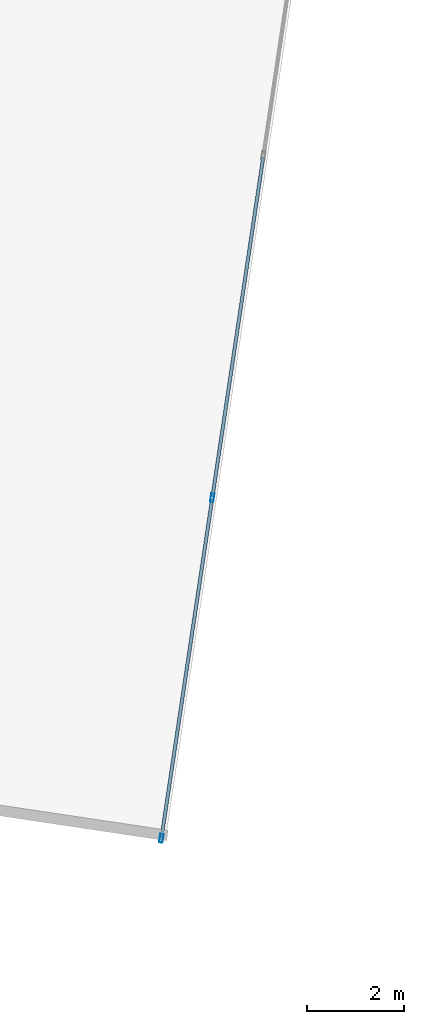
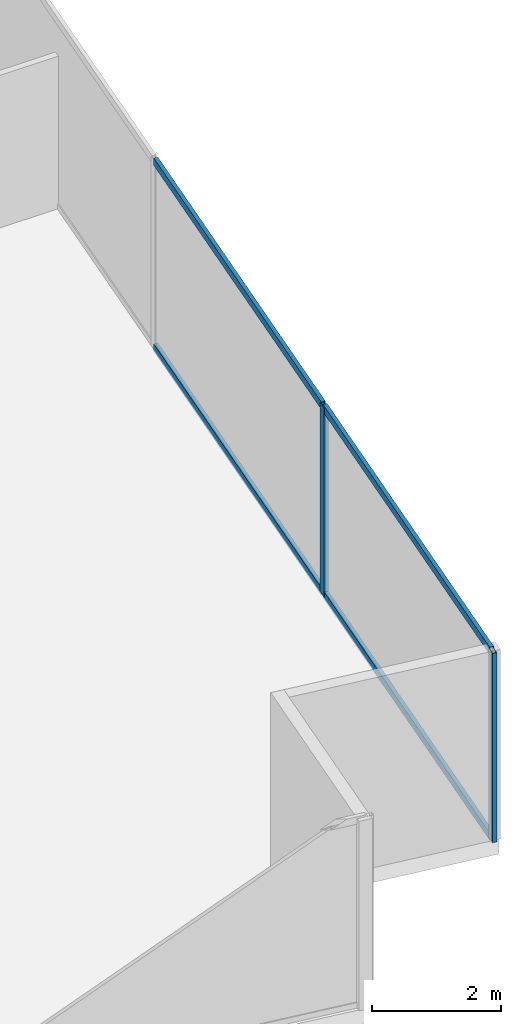
# One storey, part 12 of 29: 6 members, 1 element without a shape of its own.
"""IFC4 building model written with IfcOpenShell, lengths in metres."""

from ifc_helpers import new_model, si_unit, direction, frame, origin, origin_2d, place, context, subcontext, project, spatial, hollow_rectangle, extrude, source, transform, mapped, material, material_profile, profile_set, type_object, type_shapes, element, aggregate, save


model = new_model("IFC4")

# Units and contexts
model_context = context("Model", 3, precision=1e-05, world=origin(), true_north=direction((0.0, 1.0)))
body_context = subcontext(model_context, "Body", "Model", "MODEL_VIEW")
ifc_project = project(units=[si_unit("LENGTHUNIT", "METRE"), si_unit("AREAUNIT", "SQUARE_METRE"), si_unit("VOLUMEUNIT", "CUBIC_METRE"), si_unit("PLANEANGLEUNIT", "RADIAN"), si_unit("MASSUNIT", "GRAM", prefix="KILO")], contexts=[model_context])

# Site, building, storey
site_placement = place(None, origin())
site = spatial("IfcSite", under=ifc_project, at=site_placement, CompositionType="ELEMENT")
building_placement = place(site_placement, origin())
building = spatial("IfcBuilding", under=site, at=building_placement, Name="Krantzveldt Concourse Tower", CompositionType="ELEMENT")
storey_placement = place(building_placement, frame((0.0, 0.0, 76.35009765625)))
storey = spatial("IfcBuildingStorey", under=building, at=storey_placement, Name="L18", CompositionType="ELEMENT", Elevation=76.35009765625)

# Curtain wall, members
ifc_material = material(Name="Anodised aluminium 6063-T6", Category="aluminium")
curtain_wall_type = type_object("IfcCurtainWallType", Name="CW2", PredefinedType="USERDEFINED", material=ifc_material)
curtain_wall_placement = place(storey_placement, origin())
curtain_wall = element("IfcCurtainWall", 1, at=curtain_wall_placement, inside=storey, type_object=curtain_wall_type, Name="CW-L18-F07", ObjectType="UNITISED CURTAIN WALL", PredefinedType="USERDEFINED")
ifc_material_profile_1 = material_profile(ifc_material, hollow_rectangle(XDim=0.070068359375, YDim=0.139892578125, WallThickness=0.0048828125, at=origin_2d()), Name="Anodised aluminium 6063-T6", Category="aluminium")
ifc_profile_set_1 = profile_set([ifc_material_profile_1], Name="Anodised aluminium 6063-T6 - ALU-TRAN 140x70x5")
member_type_1 = type_object("IfcMemberType", Name="CW-TRN-150", PredefinedType="USERDEFINED", material=ifc_profile_set_1)
shared_shape_1 = source(origin(), body_context, "Body", "SweptSolid", [
    extrude(hollow_rectangle(XDim=0.070068359375, YDim=0.139892578125, WallThickness=0.0048828125, at=origin_2d()), origin(), (0.0, 0.0, 1.0), 7.0966796875),
])
member_1_placement = place(storey_placement, frame((58.52294921875, 8.876708984375, 0.034912109375), z_axis=(0.147823987056, 0.989013684865, 0.0), x_axis=(-0.989013684865, 0.147823987056, 0.0)))
member_1 = element("IfcMember", 2, at=member_1_placement, type_object=member_type_1, Name="CW-Z12 transom 2.1", ObjectType="TRANSOM", PredefinedType="USERDEFINED", context=body_context, shape_type="MappedRepresentation", body=[
    mapped(shared_shape_1, transform((0.0, 0.0, 0.0), x_axis=(1.0, 0.0, 0.0), y_axis=(0.0, 1.0, 0.0), z_axis=(0.0, 0.0, 1.0), scale=1.0)),
])
member_2_placement = place(storey_placement, frame((58.52294921875, 8.876708984375, 3.554931640625), z_axis=(0.147823987056, 0.989013684865, 0.0), x_axis=(-0.989013684865, 0.147823987056, 0.0)))
member_2 = element("IfcMember", 3, at=member_2_placement, type_object=member_type_1, Name="CW-Z12 transom 2.2", ObjectType="TRANSOM", PredefinedType="USERDEFINED", context=body_context, shape_type="MappedRepresentation", body=[
    mapped(shared_shape_1, transform((0.0, 0.0, 0.0), x_axis=(1.0, 0.0, 0.0), y_axis=(0.0, 1.0, 0.0), z_axis=(0.0, 0.0, 1.0), scale=1.0)),
])
shared_shape_2 = source(origin(), body_context, "Body", "SweptSolid", [
    extrude(hollow_rectangle(XDim=0.070068359375, YDim=0.139892578125, WallThickness=0.0048828125, at=origin_2d()), origin(), (0.0, 0.0, 1.0), 7.061767578125),
])
type_shapes(member_type_1, [shared_shape_1, shared_shape_2])
member_3_placement = place(storey_placement, frame((57.46875, 1.823486328125, 0.034912109375), z_axis=(0.147831568187, 0.989012551714, 0.0), x_axis=(-0.989012551714, 0.147831568187, 0.0)))
member_3 = element("IfcMember", 4, at=member_3_placement, type_object=member_type_1, Name="CW-Z12 transom 1.1", ObjectType="TRANSOM", PredefinedType="USERDEFINED", context=body_context, shape_type="MappedRepresentation", body=[
    mapped(shared_shape_2, transform((0.0, 0.0, 0.0), x_axis=(1.0, 0.0, 0.0), y_axis=(0.0, 1.0, 0.0), z_axis=(0.0, 0.0, 1.0), scale=1.0)),
])
member_4_placement = place(storey_placement, frame((57.46875, 1.823486328125, 3.554931640625), z_axis=(0.147831568187, 0.989012551714, 0.0), x_axis=(-0.989012551714, 0.147831568187, 0.0)))
member_4 = element("IfcMember", 5, at=member_4_placement, type_object=member_type_1, Name="CW-Z12 transom 1.2", ObjectType="TRANSOM", PredefinedType="USERDEFINED", context=body_context, shape_type="MappedRepresentation", body=[
    mapped(shared_shape_2, transform((0.0, 0.0, 0.0), x_axis=(1.0, 0.0, 0.0), y_axis=(0.0, 1.0, 0.0), z_axis=(0.0, 0.0, 1.0), scale=1.0)),
])
ifc_material_profile_2 = material_profile(ifc_material, hollow_rectangle(XDim=0.070068359375, YDim=0.179931640625, WallThickness=0.0048828125, at=origin_2d()), Name="Anodised aluminium 6063-T6", Category="aluminium")
ifc_profile_set_2 = profile_set([ifc_material_profile_2], Name="Anodised aluminium 6063-T6 - ALU-MULL 180x70x5")
member_type_2 = type_object("IfcMemberType", Name="CW-MUL-180", PredefinedType="MULLION", material=ifc_profile_set_2)
shared_shape_3 = source(origin(), body_context, "Body", "SweptSolid", [
    extrude(hollow_rectangle(XDim=0.070068359375, YDim=0.179931640625, WallThickness=0.0048828125, at=origin_2d()), origin(), (0.0, 0.0, 1.0), 3.58984375),
])
type_shapes(member_type_2, [shared_shape_3])
member_5_placement = place(storey_placement, frame((57.463623046875, 1.788818359375, 0.0), z_axis=(0.0, 0.0, 1.0), x_axis=(-0.989015849271, 0.147809505412, 0.0)))
member_5 = element("IfcMember", 6, at=member_5_placement, type_object=member_type_2, Name="CW-Z12 mullion 1", PredefinedType="MULLION", context=body_context, shape_type="MappedRepresentation", body=[
    mapped(shared_shape_3, transform((0.0, 0.0, 0.0), x_axis=(1.0, 0.0, 0.0), y_axis=(0.0, 1.0, 0.0), z_axis=(0.0, 0.0, 1.0), scale=1.0)),
])
member_6_placement = place(storey_placement, frame((58.517822265625, 8.84228515625, 0.0), z_axis=(0.0, 0.0, 1.0), x_axis=(-0.989015849271, 0.147809505412, 0.0)))
member_6 = element("IfcMember", 7, at=member_6_placement, type_object=member_type_2, Name="CW-Z12 mullion 2", PredefinedType="MULLION", context=body_context, shape_type="MappedRepresentation", body=[
    mapped(shared_shape_3, transform((0.0, 0.0, 0.0), x_axis=(1.0, 0.0, 0.0), y_axis=(0.0, 1.0, 0.0), z_axis=(0.0, 0.0, 1.0), scale=1.0)),
])
aggregate(curtain_wall, [member_5, member_6, member_3, member_4, member_1, member_2])

save(model, "model.ifc")
